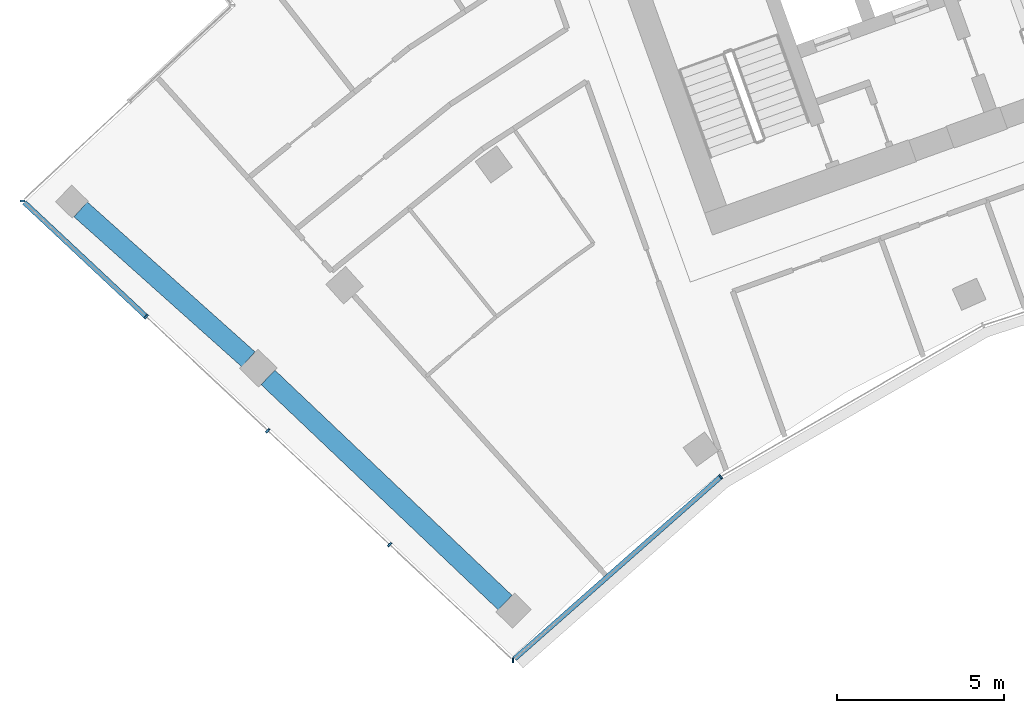
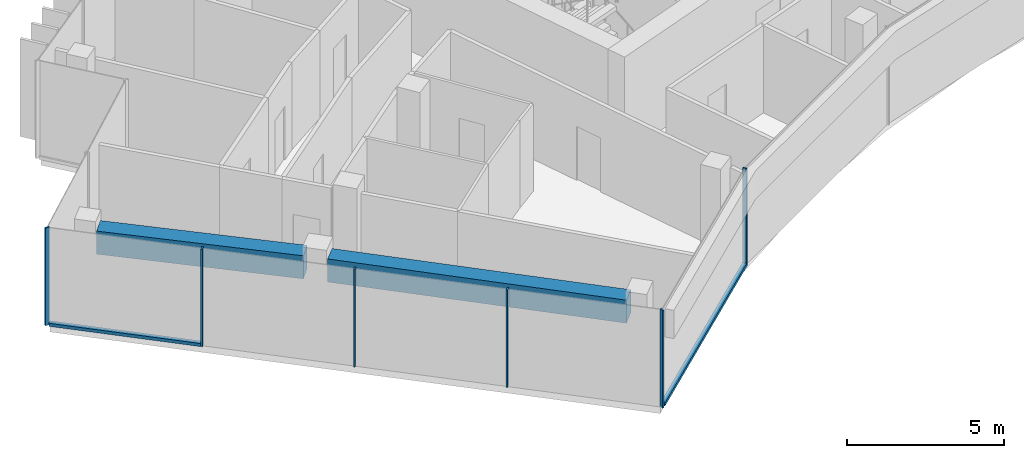
# One storey, part 2 of 19: 8 members, 2 beams, 2 elements without a shape of their own.
"""IFC4 building model written with IfcOpenShell, lengths in metres."""

from ifc_helpers import new_model, si_unit, direction, frame, origin, origin_2d, place, context, subcontext, project, spatial, rectangle, extrude, material, layer, layer_set, material_profile, profile_set, type_object, element, aggregate, save


model = new_model("IFC4")

# Units and contexts
model_context = context("Model", 3, precision=1e-05, world=origin(), true_north=direction((0.0, 1.0)))
body_context = subcontext(model_context, "Body", "Model", "MODEL_VIEW")
ifc_project = project(units=[si_unit("LENGTHUNIT", "METRE"), si_unit("AREAUNIT", "SQUARE_METRE"), si_unit("VOLUMEUNIT", "CUBIC_METRE"), si_unit("PLANEANGLEUNIT", "RADIAN"), si_unit("MASSUNIT", "GRAM", prefix="KILO")], contexts=[model_context])

# Site, building, storey
site_placement = place(None, origin())
site = spatial("IfcSite", under=ifc_project, at=site_placement, CompositionType="ELEMENT")
building_placement = place(site_placement, origin())
building = spatial("IfcBuilding", under=site, at=building_placement, Name="Stone Belt Terrace Tower", CompositionType="ELEMENT")
storey_placement = place(building_placement, frame((0.0, 0.0, 303.60009765625)))
storey = spatial("IfcBuildingStorey", under=building, at=storey_placement, Name="L74", CompositionType="ELEMENT", Elevation=303.60009765625)

# Curtain wall, members
ifc_material_1 = material(Name="Aluminium 6063-T6 anodised frame", Category="aluminium")
ifc_layer_1 = layer(ifc_material_1, 0.14990234375)
ifc_layer_set_1 = layer_set([ifc_layer_1], Name="CW-B unitised concave-face curtain wall")
curtain_wall_type_1 = type_object("IfcCurtainWallType", Name="CW-B unitised concave-face curtain wall", PredefinedType="NOTDEFINED", material=ifc_layer_set_1)
curtain_wall_1_placement = place(storey_placement, origin())
curtain_wall_1 = element("IfcCurtainWall", 1, at=curtain_wall_1_placement, inside=storey, type_object=curtain_wall_type_1, Name="CW-B concave face L74", PredefinedType="NOTDEFINED")
ifc_material_profile_1 = material_profile(ifc_material_1, rectangle(XDim=0.14990234375, YDim=0.050048828125, at=origin_2d()), Name="Aluminium 6063-T6 50x150")
ifc_profile_set_1 = profile_set([ifc_material_profile_1], Name="Aluminium 6063-T6 anodised frame")
member_type_1 = type_object("IfcMemberType", Name="CW-B mullion 50 x 150", PredefinedType="MULLION", material=ifc_profile_set_1)
member_1_placement = place(storey_placement, frame((-31.75244140625, 29.633056640625, 0.0), z_axis=(0.0, 0.0, 1.0), x_axis=(0.014681639593, 0.999892218921, 0.0)))
member_1 = element("IfcMember", 2, at=member_1_placement, type_object=member_type_1, Name="CW-B mullion 1", PredefinedType="MULLION", context=body_context, shape_type="SweptSolid", body=[
    extrude(rectangle(XDim=0.14990234375, YDim=0.050048828125, at=origin_2d()), origin(), (0.0, 0.0, 1.0), 3.7998046875),
])
member_2_placement = place(storey_placement, frame((-25.524658203125, 35.131103515625, 0.0), z_axis=(0.0, 0.0, 1.0), x_axis=(-0.583818854632, 0.811883947973, 0.0)))
member_2 = element("IfcMember", 3, at=member_2_placement, type_object=member_type_1, Name="CW-B mullion 2", PredefinedType="MULLION", context=body_context, shape_type="SweptSolid", body=[
    extrude(rectangle(XDim=0.14990234375, YDim=0.050048828125, at=origin_2d()), origin(), (0.0, 0.0, 1.0), 3.7998046875),
])
ifc_material_profile_2 = material_profile(ifc_material_1, rectangle(XDim=0.14990234375, YDim=0.1201171875, at=origin_2d()), Name="Aluminium 6063-T6 150x120")
ifc_profile_set_2 = profile_set([ifc_material_profile_2], Name="Aluminium 6063-T6 anodised frame")
member_type_2 = type_object("IfcMemberType", Name="CW-B transom 120 x 150", PredefinedType="USERDEFINED", material=ifc_profile_set_2)
member_3_placement = place(storey_placement, frame((-31.70068359375, 29.6787109375, 0.059814453125), z_axis=(0.749668527307, 0.661813492735, 0.0), x_axis=(-0.661813492735, 0.749668527307, 0.0)))
member_3 = element("IfcMember", 4, at=member_3_placement, type_object=member_type_2, Name="CW-B transom 1.1", ObjectType="TRANSOM", PredefinedType="USERDEFINED", context=body_context, shape_type="SweptSolid", body=[
    extrude(rectangle(XDim=0.14990234375, YDim=0.1201171875, at=origin_2d()), origin(), (0.0, 0.0, 1.0), 8.2060546875),
])
aggregate(curtain_wall_1, [member_1, member_2, member_3])

ifc_layer_2 = layer(ifc_material_1, 0.14990234375)
ifc_layer_set_2 = layer_set([ifc_layer_2], Name="CW-C stick curtain wall, horn ends and notches")
curtain_wall_type_2 = type_object("IfcCurtainWallType", Name="CW-C stick curtain wall, horn ends and notches", PredefinedType="NOTDEFINED", material=ifc_layer_set_2)
curtain_wall_2_placement = place(storey_placement, origin())
curtain_wall_2 = element("IfcCurtainWall", 5, at=curtain_wall_2_placement, inside=storey, type_object=curtain_wall_type_2, Name="CW-C end face L74", PredefinedType="NOTDEFINED")
ifc_material_profile_3 = material_profile(ifc_material_1, rectangle(XDim=0.14990234375, YDim=0.06005859375, at=origin_2d()), Name="Aluminium 6063-T6 60x150")
ifc_profile_set_3 = profile_set([ifc_material_profile_3], Name="Aluminium 6063-T6 anodised frame")
member_type_3 = type_object("IfcMemberType", Name="CW-C mullion 60 x 150", PredefinedType="MULLION", material=ifc_profile_set_3)
member_4_placement = place(storey_placement, frame((-46.458740234375, 43.405517578125, 0.0), z_axis=(0.0, 0.0, 1.0), x_axis=(0.999999447771, -0.00105093149, 0.0)))
member_4 = element("IfcMember", 6, at=member_4_placement, type_object=member_type_3, Name="CW-C mullion 1", PredefinedType="MULLION", context=body_context, shape_type="SweptSolid", body=[
    extrude(rectangle(XDim=0.14990234375, YDim=0.06005859375, at=origin_2d()), origin(), (0.0, 0.0, 1.0), 3.7998046875),
])
member_5_placement = place(storey_placement, frame((-42.750732421875, 39.932861328125, 0.0), z_axis=(0.0, 0.0, 1.0), x_axis=(0.683549434973, 0.729904219708, 0.0)))
member_5 = element("IfcMember", 7, at=member_5_placement, type_object=member_type_3, Name="CW-C mullion 2", PredefinedType="MULLION", context=body_context, shape_type="SweptSolid", body=[
    extrude(rectangle(XDim=0.14990234375, YDim=0.06005859375, at=origin_2d()), origin(), (0.0, 0.0, 1.0), 3.7998046875),
])
member_6_placement = place(storey_placement, frame((-39.10107421875, 36.51513671875, 0.0), z_axis=(0.0, 0.0, 1.0), x_axis=(0.683549434973, 0.729904219708, 0.0)))
member_6 = element("IfcMember", 8, at=member_6_placement, type_object=member_type_3, Name="CW-C mullion 3", PredefinedType="MULLION", context=body_context, shape_type="SweptSolid", body=[
    extrude(rectangle(XDim=0.14990234375, YDim=0.06005859375, at=origin_2d()), origin(), (0.0, 0.0, 1.0), 3.7998046875),
])
member_7_placement = place(storey_placement, frame((-35.45166015625, 33.097412109375, 0.0), z_axis=(0.0, 0.0, 1.0), x_axis=(0.683549434973, 0.729904219708, 0.0)))
member_7 = element("IfcMember", 9, at=member_7_placement, type_object=member_type_3, Name="CW-C mullion 4", PredefinedType="MULLION", context=body_context, shape_type="SweptSolid", body=[
    extrude(rectangle(XDim=0.14990234375, YDim=0.06005859375, at=origin_2d()), origin(), (0.0, 0.0, 1.0), 3.7998046875),
])
ifc_material_profile_4 = material_profile(ifc_material_1, rectangle(XDim=0.14990234375, YDim=0.1201171875, at=origin_2d()), Name="Aluminium 6063-T6 150x120")
ifc_profile_set_4 = profile_set([ifc_material_profile_4], Name="Aluminium 6063-T6 anodised frame")
member_type_4 = type_object("IfcMemberType", Name="CW-C transom 120 x 150", PredefinedType="USERDEFINED", material=ifc_profile_set_4)
member_8_placement = place(storey_placement, frame((-46.40380859375, 43.35400390625, 0.059814453125), z_axis=(0.729913558916, -0.683539462292, 0.0), x_axis=(0.683539462292, 0.729913558916, 0.0)))
member_8 = element("IfcMember", 10, at=member_8_placement, type_object=member_type_4, Name="CW-C transom 1.1", ObjectType="TRANSOM", PredefinedType="USERDEFINED", context=body_context, shape_type="SweptSolid", body=[
    extrude(rectangle(XDim=0.14990234375, YDim=0.1201171875, at=origin_2d()), origin(), (0.0, 0.0, 1.0), 4.97509765625),
])
aggregate(curtain_wall_2, [member_4, member_5, member_6, member_7, member_8])

# Beams
ifc_material_2 = material(Name="Concrete B60", Category="concrete")
ifc_material_profile_5 = material_profile(ifc_material_2, rectangle(XDim=0.60009765625, YDim=0.89990234375, at=origin_2d()), Name="RC 600x900")
ifc_profile_set_5 = profile_set([ifc_material_profile_5], Name="Concrete B60")
beam_type = type_object("IfcBeamType", Name="Edge beam RC 600x900 B60", PredefinedType="SPANDREL", material=ifc_profile_set_5)
beam_1_placement = place(storey_placement, frame((-31.98876953125, 31.35791015625, 2.949951171875), z_axis=(-0.72502367576, 0.688723942946, 0.0), x_axis=(-0.688723942946, -0.72502367576, 0.0)))
element("IfcBeam", 11, at=beam_1_placement, inside=storey, type_object=beam_type, Name="Edge beam L74 A P to Q", PredefinedType="SPANDREL", context=body_context, shape_type="SweptSolid", body=[
    extrude(rectangle(XDim=0.60009765625, YDim=0.89990234375, at=origin_2d()), origin(), (0.0, 0.0, 1.0), 9.80615234375),
])
beam_2_placement = place(storey_placement, frame((-39.68701171875, 38.65380859375, 2.949951171875), z_axis=(-0.745651125692, 0.666336550666, 0.0), x_axis=(-0.666336550666, -0.745651125692, 0.0)))
element("IfcBeam", 12, at=beam_2_placement, inside=storey, type_object=beam_type, Name="Edge beam L74 A Q to R", PredefinedType="SPANDREL", context=body_context, shape_type="SweptSolid", body=[
    extrude(rectangle(XDim=0.60009765625, YDim=0.89990234375, at=origin_2d()), origin(), (0.0, 0.0, 1.0), 6.744140625),
])

save(model, "model.ifc")
